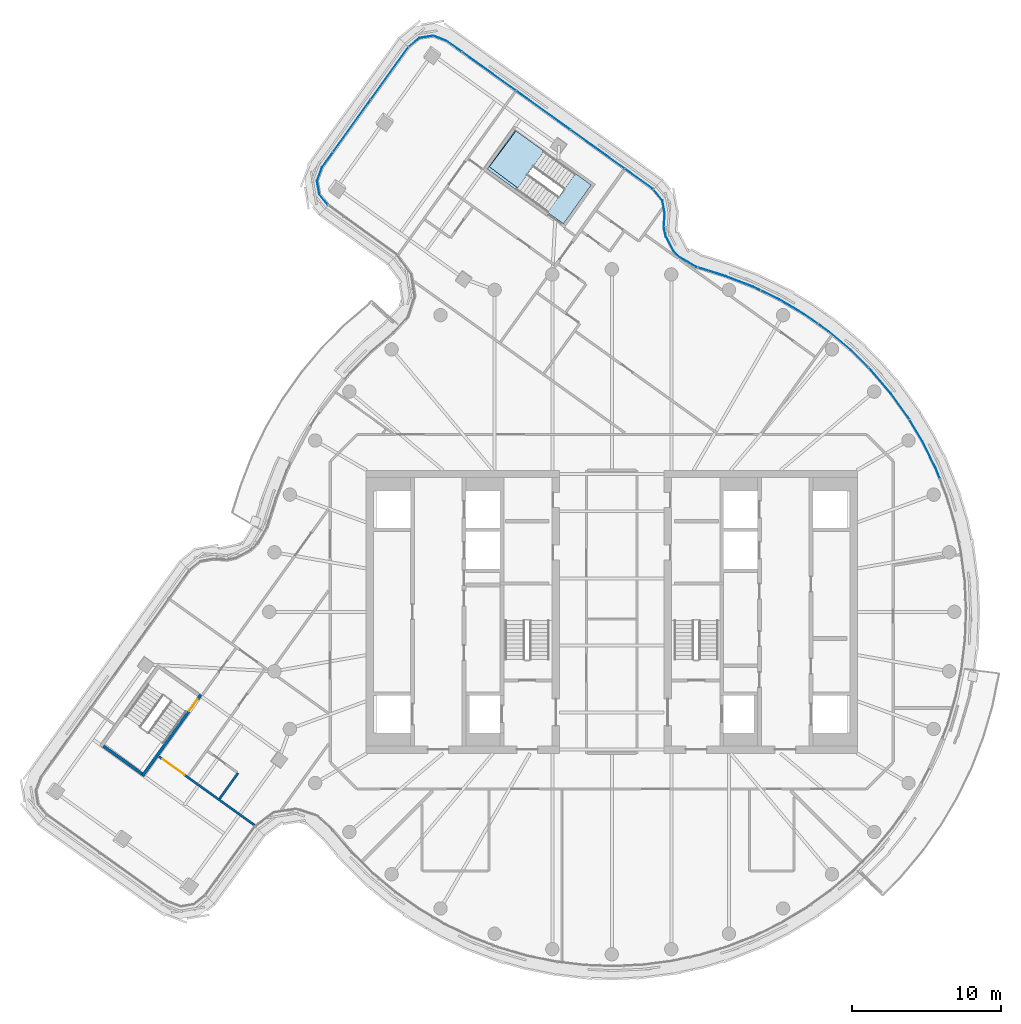
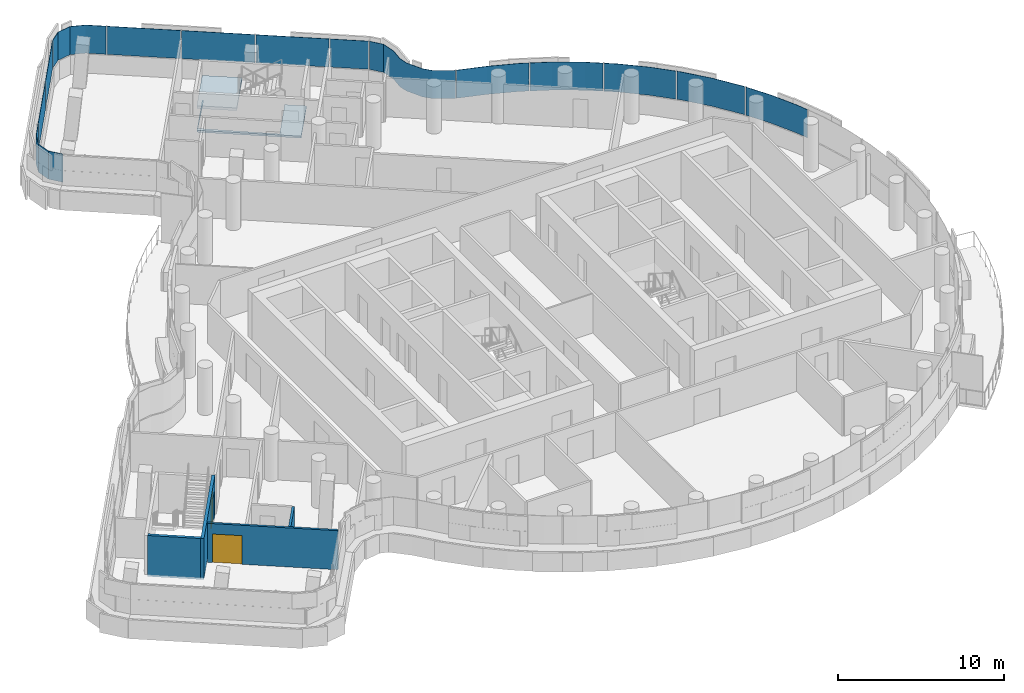
# One storey, part 16 of 27: 14 plates, 4 walls, 2 doors, 2 slabs, 2 openings, 4 elements without a shape of their own.
"""IFC4 building model written with IfcOpenShell, lengths in metres."""

from ifc_helpers import new_model, si_unit, direction, frame, frame_2d, origin, place, context, subcontext, project, spatial, polyline, rectangle, outline, extrude, material, layer, layer_set, type_object, element, fill, aggregate, save


model = new_model("IFC4")

# Units and contexts
model_context = context("Model", 3, precision=1e-05, world=origin(), true_north=direction((0.0, 1.0)))
body_context = subcontext(model_context, "Body", "Model", "MODEL_VIEW")
ifc_project = project(units=[si_unit("LENGTHUNIT", "METRE"), si_unit("AREAUNIT", "SQUARE_METRE"), si_unit("VOLUMEUNIT", "CUBIC_METRE"), si_unit("PLANEANGLEUNIT", "RADIAN"), si_unit("MASSUNIT", "GRAM", prefix="KILO")], contexts=[model_context])

# Site, building, storey
site_placement = place(None, origin())
site = spatial("IfcSite", under=ifc_project, at=site_placement, CompositionType="ELEMENT")
building_placement = place(site_placement, origin())
building = spatial("IfcBuilding", under=site, at=building_placement, Name="Tamarind Cross Interchange Tower", CompositionType="ELEMENT")
storey_placement = place(building_placement, frame((0.0, 0.0, 230.699951171875)))
storey = spatial("IfcBuildingStorey", under=building, at=storey_placement, Name="L58", CompositionType="ELEMENT", Elevation=230.699951171875)

# Slab
ifc_material_1 = material(Name="Concrete C35", Category="concrete")
ifc_layer_1 = layer(ifc_material_1, 0.139892578125)
ifc_layer_set_1 = layer_set([ifc_layer_1], Name="Concrete C35")
slab_type_1 = type_object("IfcSlabType", Name="Composite slab 140 Concrete C35", PredefinedType="FLOOR", material=ifc_layer_set_1)
slab_1_placement = place(storey_placement, frame((0.0, 0.0, -0.139892578125)))
element("IfcSlab", 1, at=slab_1_placement, inside=storey, type_object=slab_type_1, Name="Floor slab L58", PredefinedType="FLOOR", context=body_context, shape_type="SweptSolid", body=[
    extrude(outline(polyline([(-6.49755859375, 32.326171875), (-8.363525390625, 29.7265625), (-3.24560546875, 26.052978515625), (-1.379638671875, 28.652587890625), (-2.4453125, 29.41748046875), (-4.244140625, 26.91162109375), (-8.22119140625, 29.877685546875), (-6.430908203125, 32.2783203125), (-6.49755859375, 32.326171875)])), origin(), (0.0, 0.0, 1.0), 0.139892578125),
])

# Stair, slab
ifc_material_2 = material(Name="Exit stair")
stair_type = type_object("IfcStairType", Name="Exit stair", PredefinedType="HALF_TURN_STAIR", material=ifc_material_2)
stair_placement = place(storey_placement, origin())
stair = element("IfcStair", 2, at=stair_placement, inside=storey, type_object=stair_type, Name="L58 exit stair ST4", PredefinedType="HALF_TURN_STAIR")
ifc_material_3 = material(Name="Concrete C40", Category="concrete")
ifc_layer_2 = layer(ifc_material_3, 0.199951171875)
ifc_layer_set_2 = layer_set([ifc_layer_2], Name="Concrete C40")
slab_type_2 = type_object("IfcSlabType", Name="Stair landing", PredefinedType="LANDING", material=ifc_layer_set_2)
slab_2_placement = place(storey_placement, frame((0.0, 0.0, 1.60009765625)))
slab_2 = element("IfcSlab", 3, at=slab_2_placement, type_object=slab_type_2, Name="ST4 landing 1", PredefinedType="LANDING", context=body_context, shape_type="SweptSolid", body=[
    extrude(outline(polyline([(-4.5380859375, 30.919677734375), (-6.49755859375, 32.326171875), (-8.363525390625, 29.7265625), (-6.404052734375, 28.320068359375), (-4.5380859375, 30.919677734375)])), origin(), (0.0, 0.0, 1.0), 0.199951171875),
])
aggregate(stair, [slab_2])

# Curtain wall, plates
ifc_material_4 = material(Name="Aluminium 6063-T6", Category="aluminium")
ifc_layer_3 = layer(ifc_material_4, 0.139892578125)
ifc_layer_set_3 = layer_set([ifc_layer_3], Name="Aluminium 6063-T6")
curtain_wall_type = type_object("IfcCurtainWallType", Name="Hotel curtain wall, 4.5 m bays", PredefinedType="NOTDEFINED", material=ifc_layer_set_3)
curtain_wall_1_placement = place(storey_placement, origin())
curtain_wall_1 = element("IfcCurtainWall", 4, at=curtain_wall_1_placement, inside=storey, type_object=curtain_wall_type, Name="CWS-L58-02", PredefinedType="NOTDEFINED")
ifc_material_5 = material(Name="Laminated low-e glass 6+1.52+6", Category="glass")
ifc_layer_4 = layer(ifc_material_5, 0.02392578125)
ifc_layer_set_4 = layer_set([ifc_layer_4], Name="Laminated low-e glass 6+1.52+6")
plate_type = type_object("IfcPlateType", Name="Vision panel CW2", PredefinedType="CURTAIN_PANEL", material=ifc_layer_set_4)
plate_1_placement = place(storey_placement, frame((0.0, 0.0, 1.400146484375)))
plate_1 = element("IfcPlate", 5, at=plate_1_placement, type_object=plate_type, Name="CWP-L58-02-16", PredefinedType="CURTAIN_PANEL", context=body_context, shape_type="SweptSolid", body=[
    extrude(outline(polyline([(22.009033203125, 8.96484375), (21.7392578125, 9.6474609375), (20.868408203125, 11.40966796875), (19.989013671875, 12.870849609375), (20.009765625, 12.88330078125), (20.889404296875, 11.421142578125), (21.76123046875, 9.6572265625), (22.03125, 8.9736328125), (22.009033203125, 8.96484375)])), origin(), (0.0, 0.0, 1.0), 2.059814453125),
])
plate_2_placement = place(storey_placement, frame((0.0, 0.0, 1.400146484375)))
plate_2 = element("IfcPlate", 6, at=plate_2_placement, type_object=plate_type, Name="CWP-L58-02-17", PredefinedType="CURTAIN_PANEL", context=body_context, shape_type="SweptSolid", body=[
    extrude(outline(polyline([(19.958251953125, 12.92236328125), (19.854736328125, 13.093994140625), (18.705810546875, 14.68896484375), (17.4287109375, 16.183349609375), (17.23583984375, 16.374755859375), (17.2529296875, 16.391845703125), (17.4462890625, 16.19970703125), (18.724609375, 14.703857421875), (19.874755859375, 13.107177734375), (19.978759765625, 12.9345703125), (19.958251953125, 12.92236328125)])), origin(), (0.0, 0.0, 1.0), 2.059814453125),
])
plate_3_placement = place(storey_placement, frame((0.0, 0.0, 1.400146484375)))
plate_3 = element("IfcPlate", 7, at=plate_3_placement, type_object=plate_type, Name="CWP-L58-02-18", PredefinedType="CURTAIN_PANEL", context=body_context, shape_type="SweptSolid", body=[
    extrude(outline(polyline([(17.193359375, 16.4169921875), (16.032958984375, 17.5673828125), (14.52734375, 18.83154296875), (13.869873046875, 19.296630859375), (13.8837890625, 19.316162109375), (14.5419921875, 18.850341796875), (16.049072265625, 17.585205078125), (17.210205078125, 16.43408203125), (17.193359375, 16.4169921875)])), origin(), (0.0, 0.0, 1.0), 2.059814453125),
])
plate_4_placement = place(storey_placement, frame((0.0, 0.0, 1.400146484375)))
plate_4 = element("IfcPlate", 8, at=plate_4_placement, type_object=plate_type, Name="CWP-L58-02-19", PredefinedType="CURTAIN_PANEL", context=body_context, shape_type="SweptSolid", body=[
    extrude(outline(polyline([(13.821044921875, 19.331298828125), (12.922607421875, 19.966796875), (11.229736328125, 20.9658203125), (10.02392578125, 21.548828125), (10.034423828125, 21.5703125), (11.240966796875, 20.98681640625), (12.935791015625, 19.987060546875), (13.834716796875, 19.350830078125), (13.821044921875, 19.331298828125)])), origin(), (0.0, 0.0, 1.0), 2.059814453125),
])
plate_5_placement = place(storey_placement, frame((0.0, 0.0, 1.400146484375)))
plate_5 = element("IfcPlate", 9, at=plate_5_placement, type_object=plate_type, Name="CWP-L58-02-20", PredefinedType="CURTAIN_PANEL", context=body_context, shape_type="SweptSolid", body=[
    extrude(outline(polyline([(9.969970703125, 21.574951171875), (9.4599609375, 21.821533203125), (7.623779296875, 22.52880859375), (5.80712890625, 23.098876953125), (5.814453125, 23.121826171875), (7.6318359375, 22.551513671875), (9.469482421875, 21.843505859375), (9.98046875, 21.596435546875), (9.969970703125, 21.574951171875)])), origin(), (0.0, 0.0, 1.0), 2.059814453125),
])
plate_6_placement = place(storey_placement, frame((0.0, 0.0, 1.400146484375)))
plate_6 = element("IfcPlate", 10, at=plate_6_placement, type_object=plate_type, Name="CWP-L58-02-21", PredefinedType="CURTAIN_PANEL", context=body_context, shape_type="SweptSolid", body=[
    extrude(outline(polyline([(5.75, 23.116943359375), (5.6650390625, 23.1435546875), (4.549072265625, 23.79541015625), (4.133056640625, 24.2314453125), (3.597900390625, 25.2568359375), (3.47802734375, 25.847412109375), (3.5478515625, 26.71533203125), (3.38330078125, 27.634765625), (2.80615234375, 28.33251953125), (2.82470703125, 28.347900390625), (3.40576171875, 27.645263671875), (3.572021484375, 26.716552734375), (3.502197265625, 25.848876953125), (3.620849609375, 25.264892578125), (4.15283203125, 24.24560546875), (4.56396484375, 23.814453125), (5.6748046875, 23.16552734375), (5.757080078125, 23.1396484375), (5.75, 23.116943359375)])), origin(), (0.0, 0.0, 1.0), 2.059814453125),
])
aggregate(curtain_wall_1, [plate_1, plate_2, plate_3, plate_4, plate_5, plate_6])

curtain_wall_2_placement = place(storey_placement, origin())
curtain_wall_2 = element("IfcCurtainWall", 11, at=curtain_wall_2_placement, inside=storey, type_object=curtain_wall_type, Name="CWS-L58-03", PredefinedType="NOTDEFINED")
plate_7_placement = place(storey_placement, frame((0.0, 0.0, 1.400146484375)))
plate_7 = element("IfcPlate", 12, at=plate_7_placement, type_object=plate_type, Name="CWP-L58-03-00", PredefinedType="CURTAIN_PANEL", context=body_context, shape_type="SweptSolid", body=[
    extrude(outline(polyline([(2.764892578125, 28.37109375), (0.88037109375, 29.7236328125), (0.894287109375, 29.7431640625), (2.77880859375, 28.390625), (2.764892578125, 28.37109375)])), origin(), (0.0, 0.0, 1.0), 2.059814453125),
])
plate_8_placement = place(storey_placement, frame((0.0, 0.0, 1.400146484375)))
plate_8 = element("IfcPlate", 13, at=plate_8_placement, type_object=plate_type, Name="CWP-L58-03-01", PredefinedType="CURTAIN_PANEL", context=body_context, shape_type="SweptSolid", body=[
    extrude(outline(polyline([(0.83154296875, 29.7587890625), (-2.76416015625, 32.339599609375), (-2.750244140625, 32.359130859375), (0.845703125, 29.778076171875), (0.83154296875, 29.7587890625)])), origin(), (0.0, 0.0, 1.0), 2.059814453125),
])
plate_9_placement = place(storey_placement, frame((0.0, 0.0, 1.400146484375)))
plate_9 = element("IfcPlate", 14, at=plate_9_placement, type_object=plate_type, Name="CWP-L58-03-02", PredefinedType="CURTAIN_PANEL", context=body_context, shape_type="SweptSolid", body=[
    extrude(outline(polyline([(-2.81298828125, 32.374755859375), (-6.408935546875, 34.955810546875), (-6.394775390625, 34.975341796875), (-2.798828125, 32.394287109375), (-2.81298828125, 32.374755859375)])), origin(), (0.0, 0.0, 1.0), 2.059814453125),
])
plate_10_placement = place(storey_placement, frame((0.0, 0.0, 1.400146484375)))
plate_10 = element("IfcPlate", 15, at=plate_10_placement, type_object=plate_type, Name="CWP-L58-03-03", PredefinedType="CURTAIN_PANEL", context=body_context, shape_type="SweptSolid", body=[
    extrude(outline(polyline([(-6.45751953125, 34.99072265625), (-10.053466796875, 37.572021484375), (-10.03955078125, 37.59130859375), (-6.443603515625, 35.01025390625), (-6.45751953125, 34.99072265625)])), origin(), (0.0, 0.0, 1.0), 2.059814453125),
])
plate_11_placement = place(storey_placement, frame((0.0, 0.0, 1.400146484375)))
plate_11 = element("IfcPlate", 16, at=plate_11_placement, type_object=plate_type, Name="CWP-L58-03-04", PredefinedType="CURTAIN_PANEL", context=body_context, shape_type="SweptSolid", body=[
    extrude(outline(polyline([(-10.102294921875, 37.60693359375), (-11.111083984375, 38.3310546875), (-12.00048828125, 38.666748046875), (-12.909912109375, 38.517333984375), (-13.623291015625, 37.932861328125), (-13.638427734375, 37.951416015625), (-12.920166015625, 38.539794921875), (-11.998046875, 38.69140625), (-11.099609375, 38.3525390625), (-10.088134765625, 37.62646484375), (-10.102294921875, 37.60693359375)])), origin(), (0.0, 0.0, 1.0), 2.059814453125),
])
aggregate(curtain_wall_2, [plate_7, plate_8, plate_9, plate_10, plate_11])

curtain_wall_3_placement = place(storey_placement, origin())
curtain_wall_3 = element("IfcCurtainWall", 17, at=curtain_wall_3_placement, inside=storey, type_object=curtain_wall_type, Name="CWS-L58-04", PredefinedType="NOTDEFINED")
plate_12_placement = place(storey_placement, frame((0.0, 0.0, 1.400146484375)))
plate_12 = element("IfcPlate", 18, at=plate_12_placement, type_object=plate_type, Name="CWP-L58-04-00", PredefinedType="CURTAIN_PANEL", context=body_context, shape_type="SweptSolid", body=[
    extrude(outline(polyline([(-13.661865234375, 37.8916015625), (-16.160888671875, 34.41015625), (-16.180419921875, 34.424072265625), (-13.681396484375, 37.90576171875), (-13.661865234375, 37.8916015625)])), origin(), (0.0, 0.0, 1.0), 2.059814453125),
])
plate_13_placement = place(storey_placement, frame((0.0, 0.0, 1.400146484375)))
plate_13 = element("IfcPlate", 19, at=plate_13_placement, type_object=plate_type, Name="CWP-L58-04-01", PredefinedType="CURTAIN_PANEL", context=body_context, shape_type="SweptSolid", body=[
    extrude(outline(polyline([(-16.19580078125, 34.361328125), (-18.69482421875, 30.8798828125), (-18.71435546875, 30.893798828125), (-16.21533203125, 34.37548828125), (-16.19580078125, 34.361328125)])), origin(), (0.0, 0.0, 1.0), 2.059814453125),
])
plate_14_placement = place(storey_placement, frame((0.0, 0.0, 1.400146484375)))
plate_14 = element("IfcPlate", 20, at=plate_14_placement, type_object=plate_type, Name="CWP-L58-04-02", PredefinedType="CURTAIN_PANEL", context=body_context, shape_type="SweptSolid", body=[
    extrude(outline(polyline([(-18.729736328125, 30.8310546875), (-19.44384765625, 29.836181640625), (-19.779541015625, 28.947021484375), (-19.630126953125, 28.037353515625), (-19.045166015625, 27.32373046875), (-19.06396484375, 27.30859375), (-19.652587890625, 28.027099609375), (-19.80419921875, 28.949462890625), (-19.46533203125, 29.84765625), (-18.749267578125, 30.844970703125), (-18.729736328125, 30.8310546875)])), origin(), (0.0, 0.0, 1.0), 2.059814453125),
])
aggregate(curtain_wall_3, [plate_12, plate_13, plate_14])

# Wall, opening, door
ifc_material_6 = material(Name="Gypsum board partition on steel studs", Category="steel")
ifc_layer_5 = layer(ifc_material_6, 0.14990234375)
ifc_layer_set_5 = layer_set([ifc_layer_5], Name="Gypsum board partition on steel studs")
wall_type_1 = type_object("IfcWallType", Name="Partition 150 mm EI 120", PredefinedType="PARTITIONING", material=ifc_layer_set_5)
wall_1_placement = place(storey_placement, frame((-30.40576171875, -9.721435546875, 0.0), z_axis=(0.0, 0.0, 1.0), x_axis=(0.812505461902, -0.582953578236, 0.0)))
wall_1 = element("IfcWall", 21, at=wall_1_placement, inside=storey, type_object=wall_type_1, Name="Partition L58-005", PredefinedType="PARTITIONING", context=body_context, shape_type="SweptSolid", body=[
    extrude(rectangle(XDim=7.89697265625, YDim=0.14990234375, at=frame_2d((3.948486328125, 0.0))), origin(), (0.0, 0.0, 1.0), 2.864013671875),
])
opening_1_placement = place(wall_1_placement, frame((0.300048828125, 0.0, 0.0)))
opening_1 = element("IfcOpeningElement", 22, at=opening_1_placement, cuts=wall_1, Name="Opening D01", PredefinedType="OPENING", context=body_context, shape_type="SweptSolid", body=[
    extrude(rectangle(XDim=1.800048828125, YDim=2.10009765625, at=frame_2d((0.89990234375, 1.050048828125))), frame((0.0, 0.0849609375, 0.0), z_axis=(0.0, -1.0, 0.0), x_axis=(1.0, 0.0, 0.0)), (0.0, 0.0, 1.0), 0.169921875),
])
ifc_material_7 = material(Name="Fire-resisting door set")
door_type_1 = type_object("IfcDoorType", Name="Interior door 1800 x 2100 FD60S", OperationType="DOUBLE_DOOR_SINGLE_SWING", PredefinedType="DOOR", material=ifc_material_7)
door_1_placement = place(opening_1_placement, frame((1.800048828125, 0.0, 0.0), z_axis=(0.0, 0.0, 1.0), x_axis=(-1.0, 0.0, 0.0)))
door_1 = element("IfcDoor", 23, at=door_1_placement, inside=storey, type_object=door_type_1, Name="Door D01", OperationType="DOUBLE_DOOR_SINGLE_SWING", OverallHeight=2.10009765625, OverallWidth=1.800048828125, PredefinedType="DOOR", context=body_context, shape_type="SweptSolid", body=[
    extrude(rectangle(XDim=1.800048828125, YDim=2.10009765625, at=frame_2d((0.89990234375, 1.050048828125))), frame((0.0, 0.02490234375, 0.0), z_axis=(0.0, -1.0, 0.0), x_axis=(1.0, 0.0, 0.0)), (0.0, 0.0, 1.0), 0.050048828125),
])
fill(opening_1, door_1)

# Wall
wall_2_placement = place(storey_placement, frame((-26.330322265625, -12.549072265625, 0.0), z_axis=(0.0, 0.0, 1.0), x_axis=(0.583175606739, 0.812346115707, 0.0)))
element("IfcWall", 24, at=wall_2_placement, inside=storey, type_object=wall_type_1, Name="Partition L58-038", PredefinedType="PARTITIONING", context=body_context, shape_type="SweptSolid", body=[
    extrude(rectangle(XDim=2.119873046875, YDim=0.14990234375, at=frame_2d((1.06005859375, 0.0))), origin(), (0.0, 0.0, 1.0), 2.864013671875),
])

# Wall, opening, door
ifc_layer_6 = layer(ifc_material_3, 0.199951171875)
ifc_layer_set_6 = layer_set([ifc_layer_6], Name="Concrete C40")
wall_type_2 = type_object("IfcWallType", Name="Stair shaft wall 200 mm Concrete C40", PredefinedType="SHEAR", material=ifc_layer_set_6)
wall_3_placement = place(storey_placement, frame((-27.6044921875, -5.57861328125, -0.139892578125), z_axis=(0.0, 0.0, 1.0), x_axis=(-0.583135878643, -0.81237463466, 0.0)))
wall_3 = element("IfcWall", 25, at=wall_3_placement, inside=storey, type_object=wall_type_2, Name="Core wall CWL-L58-ST5-H", PredefinedType="SHEAR", context=body_context, shape_type="SweptSolid", body=[
    extrude(rectangle(XDim=6.699951171875, YDim=0.199951171875, at=frame_2d((3.35009765625, 0.0))), origin(), (0.0, 0.0, 1.0), 3.00390625),
])
opening_2_placement = place(wall_3_placement, frame((0.35009765625, 0.0, 0.0)))
opening_2 = element("IfcOpeningElement", 26, at=opening_2_placement, cuts=wall_3, Name="Opening ST5L58", PredefinedType="OPENING", context=body_context, shape_type="SweptSolid", body=[
    extrude(rectangle(XDim=1.0, YDim=2.10009765625, at=frame_2d((0.5, 1.050048828125))), frame((0.0, 0.10986328125, 0.0), z_axis=(0.0, -1.0, 0.0), x_axis=(1.0, 0.0, 0.0)), (0.0, 0.0, 1.0), 0.219970703125),
])
ifc_material_8 = material(Name="Steel, fire-resisting", Category="steel")
door_type_2 = type_object("IfcDoorType", Name="Core fire door 1000 x 2100 FD90", OperationType="SINGLE_SWING_LEFT", PredefinedType="DOOR", material=ifc_material_8)
door_2_placement = place(opening_2_placement, origin())
door_2 = element("IfcDoor", 27, at=door_2_placement, inside=storey, type_object=door_type_2, Name="L58 stair door ST5", OperationType="SINGLE_SWING_LEFT", OverallHeight=2.10009765625, OverallWidth=1.0, PredefinedType="DOOR", context=body_context, shape_type="SweptSolid", body=[
    extrude(rectangle(XDim=1.0, YDim=2.10009765625, at=frame_2d((0.5, 1.050048828125))), frame((0.0, 0.02490234375, 0.0), z_axis=(0.0, -1.0, 0.0), x_axis=(1.0, 0.0, 0.0)), (0.0, 0.0, 1.0), 0.050048828125),
])
fill(opening_2, door_2)

# Wall
wall_4_placement = place(storey_placement, frame((0.0, 0.0, -0.139892578125)))
element("IfcWall", 28, at=wall_4_placement, inside=storey, type_object=wall_type_2, Name="Core wall CWL-L58-ST5-CF", PredefinedType="SHEAR", context=body_context, shape_type="SweptSolid", body=[
    extrude(outline(polyline([(-34.07568359375, -8.934814453125), (-34.192138671875, -9.09716796875), (-31.592529296875, -10.963134765625), (-31.47607421875, -10.80078125), (-34.07568359375, -8.934814453125)])), origin(), (0.0, 0.0, 1.0), 3.00390625),
])

save(model, "model.ifc")
